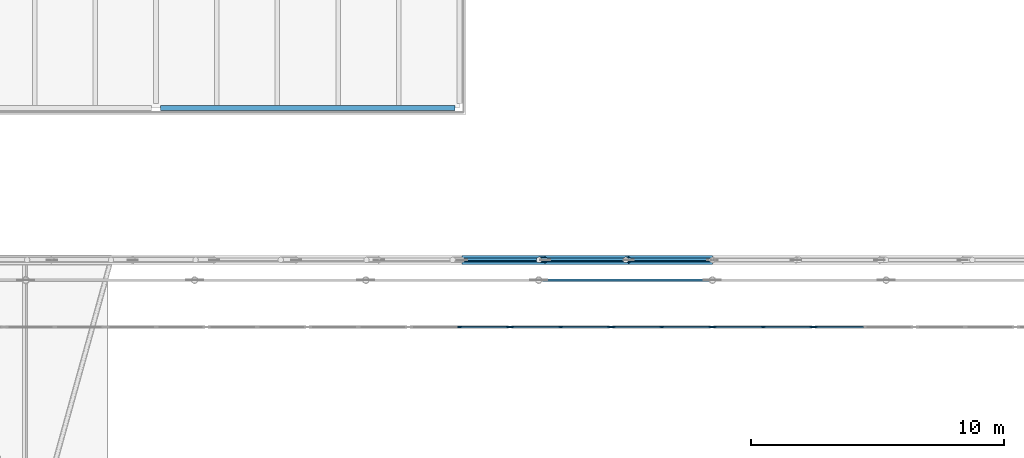
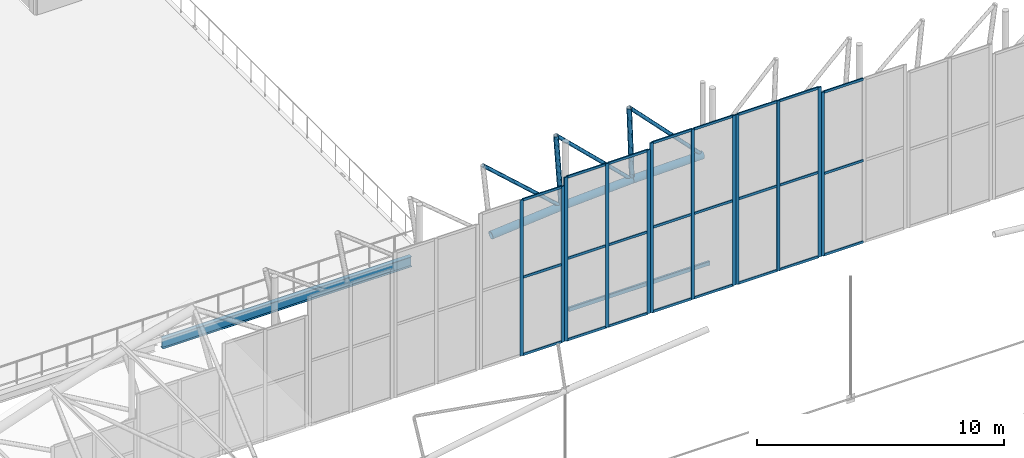
# One storey, part 179 of 321: 45 members, 1 beam, 5 elements without a shape of their own.
"""IFC4 building model written with IfcOpenShell, lengths in metres."""

import ifcopenshell
import ifcopenshell.guid

model = None  # the IFC model being written
_history = None  # IfcOwnerHistory: only IFC2X3 demands one
_inside = {}  # id of a spatial element -> (the spatial element, [elements in it])
_under = {}  # id of a project, library or spatial element -> (it, [spatial elements below it])
_declared = {}  # id of a project -> (the project, [libraries it declares])
_typed = {}  # id of a type object -> (the type object, [elements of that type])
_made_of = {}  # id of a material, layer set ... -> (it, [elements and type objects made of it])


def new_model(schema):
    """Start an empty IFC model of exactly this schema.

    Asked for "IFC4X3", IfcOpenShell would pick the latest addendum, in which some entities
    have other attributes; the version numbers below select the first issue.
    IFC2X3 requires an IfcOwnerHistory on every rooted entity: one is made here for all.
    """
    global model, _history
    if schema == "IFC4X3":
        model = ifcopenshell.file(schema_version=(4, 3, 0, 0))
    else:
        model = ifcopenshell.file(schema=schema)
    _inside.clear()
    _under.clear()
    _declared.clear()
    _typed.clear()
    _made_of.clear()
    _history = None
    if model.schema == "IFC2X3":
        org = make("IfcOrganization", Name="unknown")
        user = make(
            "IfcPersonAndOrganization",
            ThePerson=make("IfcPerson", FamilyName="unknown"),
            TheOrganization=org,
        )
        app = make(
            "IfcApplication",
            ApplicationDeveloper=org,
            Version="unknown",
            ApplicationFullName="unknown",
            ApplicationIdentifier="unknown",
        )
        _history = make(
            "IfcOwnerHistory",
            OwningUser=user,
            OwningApplication=app,
            ChangeAction="ADDED",
            CreationDate=0,
        )
    return model


def make(cls, **values):
    """One entity of the class cls with the attributes given. An attribute that is None is left unset."""
    return model.create_entity(
        cls, **{name: value for name, value in values.items() if value is not None}
    )


def rooted(cls, **values):
    """An entity with a GlobalId (a new one), such as an element, a storey or a relation."""
    return make(cls, GlobalId=ifcopenshell.guid.new(), OwnerHistory=_history, **values)


def si_unit(unit_type, name, prefix=None):
    """IfcSIUnit, for example si_unit("LENGTHUNIT", "METRE", prefix="MILLI")."""
    return make("IfcSIUnit", UnitType=unit_type, Prefix=prefix, Name=name)


def assignment(units):
    """IfcUnitAssignment: the units of a project."""
    return None if units is None else make("IfcUnitAssignment", Units=units)


def point(xyz):
    """IfcCartesianPoint."""
    return None if xyz is None else make("IfcCartesianPoint", Coordinates=xyz)


def direction(xyz):
    """IfcDirection."""
    return None if xyz is None else make("IfcDirection", DirectionRatios=xyz)


def frame(location, z_axis=None, x_axis=None):
    """IfcAxis2Placement3D, a coordinate frame: its origin and axes. An axis left out is left unset."""
    return make(
        "IfcAxis2Placement3D",
        Location=point(location),
        Axis=direction(z_axis),
        RefDirection=direction(x_axis),
    )


def frame_2d(location, x_axis=None):
    """IfcAxis2Placement2D, a coordinate frame in the plane: its origin and x axis."""
    return make(
        "IfcAxis2Placement2D", Location=point(location), RefDirection=direction(x_axis)
    )


def origin():
    """The frame at (0, 0, 0) with its axes left unset."""
    return frame((0.0, 0.0, 0.0))


def origin_2d():
    """The frame at (0, 0) in the plane with its x axis left unset."""
    return frame_2d((0.0, 0.0))


def place(relative_to, where):
    """IfcLocalPlacement: puts the frame where relative to a parent placement (None: the world)."""
    return make(
        "IfcLocalPlacement", PlacementRelTo=relative_to, RelativePlacement=where
    )


def context(
    kind, dimensions, precision=None, world=None, true_north=None, identifier=None
):
    """IfcGeometricRepresentationContext, for example the 3D "Model" context."""
    return make(
        "IfcGeometricRepresentationContext",
        ContextIdentifier=identifier,
        ContextType=kind,
        CoordinateSpaceDimension=dimensions,
        Precision=precision,
        WorldCoordinateSystem=world,
        TrueNorth=true_north,
    )


def subcontext(parent, identifier, kind, view, scale=None):
    """IfcGeometricRepresentationSubContext, for example "Body" below "Model"."""
    return make(
        "IfcGeometricRepresentationSubContext",
        ContextIdentifier=identifier,
        ContextType=kind,
        ParentContext=parent,
        TargetScale=scale,
        TargetView=view,
    )


def project(units=None, contexts=None):
    """IfcProject with its units and contexts."""
    return rooted(
        "IfcProject",
        Name="project",
        RepresentationContexts=contexts,
        UnitsInContext=assignment(units),
    )


def spatial(cls, under=None, at=None, **own):
    """A site, building, storey or space (cls), placed at a placement, below another one or the project."""
    s = rooted(cls, ObjectPlacement=at, **own)
    if under is not None:
        _under.setdefault(under.id(), (under, []))[1].append(s)
    return s


def profile(cls, at=None, kind="AREA", **sizes):
    """A parametric profile (cls). Its sizes go by their IFC names, for example OverallWidth=200.0."""
    return make(cls, ProfileType=kind, Position=at, **sizes)


def rectangle(**sizes):
    """IfcRectangleProfileDef."""
    return profile("IfcRectangleProfileDef", **sizes)


def hollow_rectangle(**sizes):
    """IfcRectangleHollowProfileDef."""
    return profile("IfcRectangleHollowProfileDef", **sizes)


def hollow_circle(**sizes):
    """IfcCircleHollowProfileDef."""
    return profile("IfcCircleHollowProfileDef", **sizes)


def i_section(**sizes):
    """IfcIShapeProfileDef."""
    return profile("IfcIShapeProfileDef", **sizes)


def extrude(swept, where, along, depth):
    """IfcExtrudedAreaSolid: the profile swept, set in the frame where, extruded along a direction by depth."""
    return make(
        "IfcExtrudedAreaSolid",
        SweptArea=swept,
        Position=where,
        ExtrudedDirection=direction(along),
        Depth=depth,
    )


def shape(context_of_items, identifier, shape_type, items):
    """IfcShapeRepresentation: the items that make up one representation, for example the "Body"."""
    return make(
        "IfcShapeRepresentation",
        ContextOfItems=context_of_items,
        RepresentationIdentifier=identifier,
        RepresentationType=shape_type,
        Items=items,
    )


def material(Name=None, Category=None):
    """IfcMaterial."""
    return make("IfcMaterial", Name=Name, Category=Category)


def layer(
    of_material, thickness, ventilated=None, Name=None, Category=None, Priority=None
):
    """IfcMaterialLayer: one layer of a wall or slab, of a material (None: an air gap)."""
    return make(
        "IfcMaterialLayer",
        Material=of_material,
        LayerThickness=thickness,
        IsVentilated=ventilated,
        Name=Name,
        Category=Category,
        Priority=Priority,
    )


def layer_set(layers, Name=None):
    """IfcMaterialLayerSet."""
    return make("IfcMaterialLayerSet", MaterialLayers=layers, LayerSetName=Name)


def material_profile(
    of_material, cross_section, Name=None, Category=None, Priority=None
):
    """IfcMaterialProfile: a cross section and its material."""
    return make(
        "IfcMaterialProfile",
        Name=Name,
        Material=of_material,
        Profile=cross_section,
        Priority=Priority,
        Category=Category,
    )


def profile_set(profiles, Name=None, composite=None):
    """IfcMaterialProfileSet."""
    return make(
        "IfcMaterialProfileSet",
        Name=Name,
        MaterialProfiles=profiles,
        CompositeProfile=composite,
    )


def made_of(thing, what):
    """Note that an element or type object is made of a material, layer set ...; save() writes the relation."""
    if what is not None:
        _made_of.setdefault(what.id(), (what, []))[1].append(thing)
    return thing


def type_object(cls, material=None, **own):
    """A type object (cls), such as IfcWallType, which elements share."""
    return made_of(rooted(cls, **own), material)


def element(
    cls,
    number,
    at=None,
    inside=None,
    cuts=None,
    type_object=None,
    material=None,
    context=None,
    identifier="Body",
    shape_type=None,
    held_by="IfcProductDefinitionShape",
    body=None,
    shapes=None,
    **own,
):
    """One element of the class cls, such as IfcWall. Its Tag is "e" and its number.

    at: its placement. inside: the storey or other place that contains it. cuts: it is an
    opening in that element (IfcRelVoidsElement). A single representation is given by context,
    identifier, shape_type and body (its items); several are given by shapes. held_by: the class
    of the entity that holds the representations. save() writes the other relations.
    """
    e = rooted(cls, Tag="e%d" % number, ObjectPlacement=at, **own)
    if body is not None:
        shapes = [shape(context, identifier, shape_type, body)]
    if shapes is not None:
        e.Representation = make(held_by, Representations=shapes)
    if inside is not None:
        _inside.setdefault(inside.id(), (inside, []))[1].append(e)
    if cuts is not None:
        rooted(
            "IfcRelVoidsElement", RelatingBuildingElement=cuts, RelatedOpeningElement=e
        )
    if type_object is not None:
        _typed.setdefault(type_object.id(), (type_object, []))[1].append(e)
    return made_of(e, material)


def aggregate(whole, parts):
    """IfcRelAggregates: a whole, such as a stair, and the parts it consists of."""
    return rooted("IfcRelAggregates", RelatingObject=whole, RelatedObjects=parts)


def save(model, path):
    """Write the relations noted so far, then the file.

    IfcRelAggregates (storeys below a building ...), IfcRelContainedInSpatialStructure (elements
    in a storey), IfcRelDefinesByType, IfcRelAssociatesMaterial and IfcRelDeclares: one each for
    every whole, place, type object, material and project.
    """
    for whole, parts in _under.values():
        aggregate(whole, parts)
    for where, things in _inside.values():
        rooted(
            "IfcRelContainedInSpatialStructure",
            RelatedElements=things,
            RelatingStructure=where,
        )
    for kind, things in _typed.values():
        rooted("IfcRelDefinesByType", RelatedObjects=things, RelatingType=kind)
    for what, things in _made_of.values():
        rooted("IfcRelAssociatesMaterial", RelatedObjects=things, RelatingMaterial=what)
    for by, libraries in _declared.values():
        rooted("IfcRelDeclares", RelatingContext=by, RelatedDefinitions=libraries)
    model.write(path)


model = new_model("IFC4")

# Units and contexts
model_context = context("Model", 3, precision=1e-05, world=origin(), true_north=direction((0.0, 1.0)))
body_context = subcontext(model_context, "Body", "Model", "MODEL_VIEW")
ifc_project = project(units=[si_unit("LENGTHUNIT", "METRE"), si_unit("AREAUNIT", "SQUARE_METRE"), si_unit("VOLUMEUNIT", "CUBIC_METRE"), si_unit("PLANEANGLEUNIT", "RADIAN"), si_unit("MASSUNIT", "GRAM", prefix="KILO")], contexts=[model_context])

# Site, building, storey
site_placement = place(None, origin())
site = spatial("IfcSite", under=ifc_project, at=site_placement, CompositionType="ELEMENT")
building_placement = place(site_placement, origin())
building = spatial("IfcBuilding", under=site, at=building_placement, Name="Ravi Spectrum Wholesale Market", CompositionType="ELEMENT")
storey_placement = place(building_placement, frame((0.0, 0.0, 10.800048828125)))
storey = spatial("IfcBuildingStorey", under=building, at=storey_placement, Name="L02", CompositionType="ELEMENT", Elevation=10.800048828125)

# Members
ifc_material_1 = material(Name="Steel S355", Category="steel")
ifc_material_profile_1 = material_profile(ifc_material_1, hollow_circle(Radius=0.084228515625, WallThickness=0.00634765625, at=origin_2d()))
ifc_profile_set_1 = profile_set([ifc_material_profile_1], Name="Steel S355")
member_type_1 = type_object("IfcMemberType", Name="CHS 168.3x6.3 brace", PredefinedType="BRACE", material=ifc_profile_set_1)
member_1_placement = place(storey_placement, frame((59.726806640625, 198.0, 7.867919921875), z_axis=(0.743626505142, 0.0, -0.668595259369), x_axis=(0.0, 1.0, 0.0)))
element("IfcMember", 1, at=member_1_placement, inside=storey, type_object=member_type_1, Name="H1-MB-L02-1214", PredefinedType="BRACE", context=body_context, shape_type="SweptSolid", body=[
    extrude(hollow_circle(Radius=0.084228515625, WallThickness=0.00634765625, at=origin_2d()), origin(), (0.0, 0.0, 1.0), 4.9296875),
])
for number, where, z_axis, x_axis, name in (
    (2, (63.14453125, 198.0, 8.163330078125), (0.7201093859, 0.0, -0.69386055684), (0.0, 1.0, 0.0), "H1-MB-L02-1215"),
    (3, (66.5703125, 198.0, 8.3408203125), (0.695749704847, 0.0, -0.718284308756), (0.0, 1.0, 0.0), "H1-MB-L02-1216"),
):
    element("IfcMember", number, at=place(storey_placement, frame(where, z_axis=z_axis, x_axis=x_axis)), inside=storey, type_object=member_type_1, Name=name, PredefinedType="BRACE", context=body_context, shape_type="SweptSolid", body=[
        extrude(hollow_circle(Radius=0.084228515625, WallThickness=0.00634765625, at=origin_2d()), origin(), (0.0, 0.0, 1.0), 4.929443359375),
    ])
ifc_material_2 = material(Name="Steel S355", Category="steel")
ifc_material_profile_2 = material_profile(ifc_material_2, hollow_circle(Radius=0.109619140625, WallThickness=0.008056640625, at=origin_2d()))
ifc_profile_set_2 = profile_set([ifc_material_profile_2], Name="Steel S355")
member_type_2 = type_object("IfcMemberType", Name="CHS 219.1x8 post", PredefinedType="POST", material=ifc_profile_set_2)
member_2_placement = place(storey_placement, frame((63.14453125, 198.0, 8.163330078125), z_axis=(0.068904502548, 0.0, -0.997623260319), x_axis=(0.0, 1.0, 0.0)))
element("IfcMember", 4, at=member_2_placement, inside=storey, type_object=member_type_2, Name="H1-MB-L02-1192", PredefinedType="POST", context=body_context, shape_type="SweptSolid", body=[
    extrude(hollow_circle(Radius=0.109619140625, WallThickness=0.008056640625, at=origin_2d()), origin(), (0.0, 0.0, 1.0), 3.599853515625),
])
member_3_placement = place(storey_placement, frame((66.5703125, 198.0, 8.3408203125), z_axis=(0.034450597287, 0.0, -0.999406401994), x_axis=(0.0, 1.0, 0.0)))
element("IfcMember", 5, at=member_3_placement, inside=storey, type_object=member_type_2, Name="H1-MB-L02-1193", PredefinedType="POST", context=body_context, shape_type="SweptSolid", body=[
    extrude(hollow_circle(Radius=0.109619140625, WallThickness=0.008056640625, at=origin_2d()), origin(), (0.0, 0.0, 1.0), 3.60009765625),
])
ifc_material_3 = material(Name="Steel S355", Category="steel")
ifc_material_profile_3 = material_profile(ifc_material_3, hollow_circle(Radius=0.177734375, WallThickness=0.012451171875, at=origin_2d()))
ifc_profile_set_3 = profile_set([ifc_material_profile_3], Name="Steel S355")
member_type_3 = type_object("IfcMemberType", Name="CHS 355.6x12.5 chord", PredefinedType="CHORD", material=ifc_profile_set_3)
member_4_placement = place(storey_placement, frame((60.098876953125, 198.0, 4.287109375), z_axis=(0.99627955827, 0.0, 0.08618028645), x_axis=(0.0, 1.0, 0.0)))
element("IfcMember", 6, at=member_4_placement, inside=storey, type_object=member_type_3, Name="H1-MB-L02-1168", PredefinedType="CHORD", context=body_context, shape_type="SweptSolid", body=[
    extrude(hollow_circle(Radius=0.177734375, WallThickness=0.012451171875, at=origin_2d()), origin(), (0.0, 0.0, 1.0), 3.305908203125),
])
for number, where, z_axis, x_axis, name in (
    (7, (63.392578125, 198.0, 4.572021484375), (0.99866314533, 0.0, 0.051690638992), (0.0, 1.0, 0.0), "H1-MB-L02-1169"),
    (8, (66.6943359375, 198.0, 4.742919921875), (0.999850697486, 0.0, 0.017279546766), (0.0, 1.0, 0.0), "H1-MB-L02-1170"),
):
    element("IfcMember", number, at=place(storey_placement, frame(where, z_axis=z_axis, x_axis=x_axis)), inside=storey, type_object=member_type_3, Name=name, PredefinedType="CHORD", context=body_context, shape_type="SweptSolid", body=[
        extrude(hollow_circle(Radius=0.177734375, WallThickness=0.012451171875, at=origin_2d()), origin(), (0.0, 0.0, 1.0), 3.30615234375),
    ])

# Beam
ifc_material_4 = material(Name="Steel S355", Category="steel")
ifc_material_profile_4 = material_profile(ifc_material_4, i_section(OverallWidth=0.199951171875, OverallDepth=0.5, WebThickness=0.01025390625, FlangeThickness=0.01611328125, at=origin_2d()))
ifc_profile_set_4 = profile_set([ifc_material_profile_4], Name="Steel S355")
beam_type = type_object("IfcBeamType", Name="IPE 500 beam", PredefinedType="BEAM", material=ifc_profile_set_4)
beam_placement = place(storey_placement, frame((48.177734375, 204.0, -0.5), z_axis=(1.0, 0.0, 0.0), x_axis=(0.0, 1.0, 0.0)))
element("IfcBeam", 9, at=beam_placement, inside=storey, type_object=beam_type, Name="OF-BM-L02-004", PredefinedType="BEAM", context=body_context, shape_type="SweptSolid", body=[
    extrude(i_section(OverallWidth=0.199951171875, OverallDepth=0.5, WebThickness=0.01025390625, FlangeThickness=0.01611328125, at=origin_2d()), origin(), (0.0, 0.0, 1.0), 11.64453125),
])

# Curtain wall, members
ifc_material_5 = material(Name="Aluminium 6063-T6", Category="aluminium")
ifc_layer = layer(ifc_material_5, 0.14990234375)
ifc_layer_set = layer_set([ifc_layer], Name="Aluminium 6063-T6")
curtain_wall_type = type_object("IfcCurtainWallType", Name="Curtain wall 150", PredefinedType="NOTDEFINED", material=ifc_layer_set)
curtain_wall_1_placement = place(storey_placement, origin())
curtain_wall_1 = element("IfcCurtainWall", 10, at=curtain_wall_1_placement, inside=storey, type_object=curtain_wall_type, Name="H1-CW-L02-007", PredefinedType="NOTDEFINED")
ifc_material_6 = material(Name="Aluminium 6063-T6", Category="aluminium")
ifc_material_profile_5 = material_profile(ifc_material_6, rectangle(XDim=0.06005859375, YDim=0.159912109375, at=origin_2d()))
ifc_profile_set_5 = profile_set([ifc_material_profile_5], Name="Aluminium 6063-T6")
member_type_4 = type_object("IfcMemberType", Name="Mullion 60 x 160", PredefinedType="MULLION", material=ifc_profile_set_5)
member_5_placement = place(storey_placement, frame((60.0, 195.340087890625, 0.0), z_axis=(0.0, 0.0, 1.0), x_axis=(0.0, 1.0, 0.0)))
member_5 = element("IfcMember", 11, at=member_5_placement, type_object=member_type_4, Name="H1-CW-L02-007 mullion 2", PredefinedType="MULLION", context=body_context, shape_type="SweptSolid", body=[
    extrude(rectangle(XDim=0.06005859375, YDim=0.159912109375, at=origin_2d()), origin(), (0.0, 0.0, 1.0), 7.699951171875),
])
member_6_placement = place(storey_placement, frame((61.929931640625, 195.340087890625, 0.0), z_axis=(0.0, 0.0, 1.0), x_axis=(0.0, 1.0, 0.0)))
member_6 = element("IfcMember", 12, at=member_6_placement, type_object=member_type_4, Name="H1-CW-L02-007 mullion 3", PredefinedType="MULLION", context=body_context, shape_type="SweptSolid", body=[
    extrude(rectangle(XDim=0.06005859375, YDim=0.159912109375, at=origin_2d()), origin(), (0.0, 0.0, 1.0), 7.699951171875),
])

curtain_wall_2_placement = place(storey_placement, origin())
curtain_wall_2 = element("IfcCurtainWall", 13, at=curtain_wall_2_placement, inside=storey, type_object=curtain_wall_type, Name="H1-CW-L02-008", PredefinedType="NOTDEFINED")
member_7_placement = place(storey_placement, frame((62.070068359375, 195.340087890625, 0.0), z_axis=(0.0, 0.0, 1.0), x_axis=(0.0, 1.0, 0.0)))
member_7 = element("IfcMember", 14, at=member_7_placement, type_object=member_type_4, Name="H1-CW-L02-008 mullion 1", PredefinedType="MULLION", context=body_context, shape_type="SweptSolid", body=[
    extrude(rectangle(XDim=0.06005859375, YDim=0.159912109375, at=origin_2d()), origin(), (0.0, 0.0, 1.0), 8.099853515625),
])
member_8_placement = place(storey_placement, frame((64.0, 195.340087890625, 0.0), z_axis=(0.0, 0.0, 1.0), x_axis=(0.0, 1.0, 0.0)))
member_8 = element("IfcMember", 15, at=member_8_placement, type_object=member_type_4, Name="H1-CW-L02-008 mullion 2", PredefinedType="MULLION", context=body_context, shape_type="SweptSolid", body=[
    extrude(rectangle(XDim=0.06005859375, YDim=0.159912109375, at=origin_2d()), origin(), (0.0, 0.0, 1.0), 8.099853515625),
])
member_9_placement = place(storey_placement, frame((65.929931640625, 195.340087890625, 0.0), z_axis=(0.0, 0.0, 1.0), x_axis=(0.0, 1.0, 0.0)))
member_9 = element("IfcMember", 16, at=member_9_placement, type_object=member_type_4, Name="H1-CW-L02-008 mullion 3", PredefinedType="MULLION", context=body_context, shape_type="SweptSolid", body=[
    extrude(rectangle(XDim=0.06005859375, YDim=0.159912109375, at=origin_2d()), origin(), (0.0, 0.0, 1.0), 8.099853515625),
])

curtain_wall_3_placement = place(storey_placement, origin())
curtain_wall_3 = element("IfcCurtainWall", 17, at=curtain_wall_3_placement, inside=storey, type_object=curtain_wall_type, Name="H1-CW-L02-009", PredefinedType="NOTDEFINED")
member_10_placement = place(storey_placement, frame((66.070068359375, 195.340087890625, 0.0), z_axis=(0.0, 0.0, 1.0), x_axis=(0.0, 1.0, 0.0)))
member_10 = element("IfcMember", 18, at=member_10_placement, type_object=member_type_4, Name="H1-CW-L02-009 mullion 1", PredefinedType="MULLION", context=body_context, shape_type="SweptSolid", body=[
    extrude(rectangle(XDim=0.06005859375, YDim=0.159912109375, at=origin_2d()), origin(), (0.0, 0.0, 1.0), 8.39990234375),
])
member_11_placement = place(storey_placement, frame((68.0, 195.340087890625, 0.0), z_axis=(0.0, 0.0, 1.0), x_axis=(0.0, 1.0, 0.0)))
member_11 = element("IfcMember", 19, at=member_11_placement, type_object=member_type_4, Name="H1-CW-L02-009 mullion 2", PredefinedType="MULLION", context=body_context, shape_type="SweptSolid", body=[
    extrude(rectangle(XDim=0.06005859375, YDim=0.159912109375, at=origin_2d()), origin(), (0.0, 0.0, 1.0), 8.39990234375),
])
member_12_placement = place(storey_placement, frame((69.929931640625, 195.340087890625, 0.0), z_axis=(0.0, 0.0, 1.0), x_axis=(0.0, 1.0, 0.0)))
member_12 = element("IfcMember", 20, at=member_12_placement, type_object=member_type_4, Name="H1-CW-L02-009 mullion 3", PredefinedType="MULLION", context=body_context, shape_type="SweptSolid", body=[
    extrude(rectangle(XDim=0.06005859375, YDim=0.159912109375, at=origin_2d()), origin(), (0.0, 0.0, 1.0), 8.39990234375),
])

curtain_wall_4_placement = place(storey_placement, origin())
curtain_wall_4 = element("IfcCurtainWall", 21, at=curtain_wall_4_placement, inside=storey, type_object=curtain_wall_type, Name="H1-CW-L02-010", PredefinedType="NOTDEFINED")
member_13_placement = place(storey_placement, frame((70.070068359375, 195.340087890625, 0.0), z_axis=(0.0, 0.0, 1.0), x_axis=(0.0, 1.0, 0.0)))
member_13 = element("IfcMember", 22, at=member_13_placement, type_object=member_type_4, Name="H1-CW-L02-010 mullion 1", PredefinedType="MULLION", context=body_context, shape_type="SweptSolid", body=[
    extrude(rectangle(XDim=0.06005859375, YDim=0.159912109375, at=origin_2d()), origin(), (0.0, 0.0, 1.0), 8.39990234375),
])
member_14_placement = place(storey_placement, frame((72.0, 195.340087890625, 0.0), z_axis=(0.0, 0.0, 1.0), x_axis=(0.0, 1.0, 0.0)))
member_14 = element("IfcMember", 23, at=member_14_placement, type_object=member_type_4, Name="H1-CW-L02-010 mullion 2", PredefinedType="MULLION", context=body_context, shape_type="SweptSolid", body=[
    extrude(rectangle(XDim=0.06005859375, YDim=0.159912109375, at=origin_2d()), origin(), (0.0, 0.0, 1.0), 8.39990234375),
])
member_15_placement = place(storey_placement, frame((73.929931640625, 195.340087890625, 0.0), z_axis=(0.0, 0.0, 1.0), x_axis=(0.0, 1.0, 0.0)))
member_15 = element("IfcMember", 24, at=member_15_placement, type_object=member_type_4, Name="H1-CW-L02-010 mullion 3", PredefinedType="MULLION", context=body_context, shape_type="SweptSolid", body=[
    extrude(rectangle(XDim=0.06005859375, YDim=0.159912109375, at=origin_2d()), origin(), (0.0, 0.0, 1.0), 8.39990234375),
])

# Curtain wall, member
curtain_wall_5_placement = place(storey_placement, origin())
curtain_wall_5 = element("IfcCurtainWall", 25, at=curtain_wall_5_placement, inside=storey, type_object=curtain_wall_type, Name="H1-CW-L02-011", PredefinedType="NOTDEFINED")
member_16_placement = place(storey_placement, frame((74.070068359375, 195.340087890625, 0.0), z_axis=(0.0, 0.0, 1.0), x_axis=(0.0, 1.0, 0.0)))
member_16 = element("IfcMember", 26, at=member_16_placement, type_object=member_type_4, Name="H1-CW-L02-011 mullion 1", PredefinedType="MULLION", context=body_context, shape_type="SweptSolid", body=[
    extrude(rectangle(XDim=0.06005859375, YDim=0.159912109375, at=origin_2d()), origin(), (0.0, 0.0, 1.0), 8.099853515625),
])

# Member
ifc_material_7 = material(Name="Steel S355", Category="steel")
ifc_material_profile_6 = material_profile(ifc_material_7, hollow_rectangle(XDim=0.10009765625, YDim=0.199951171875, WallThickness=0.00634765625, InnerFilletRadius=0.00634765625, OuterFilletRadius=0.0126953125, at=origin_2d()))
ifc_profile_set_6 = profile_set([ifc_material_profile_6], Name="Steel S355")
member_type_5 = type_object("IfcMemberType", Name="RHS 200x100x6.3 strut", PredefinedType="STRUT", material=ifc_profile_set_6)
member_17_placement = place(storey_placement, frame((63.266845703125, 197.199951171875, 0.0), z_axis=(1.0, 0.0, 0.0), x_axis=(0.0, 1.0, 0.0)))
element("IfcMember", 27, at=member_17_placement, inside=storey, type_object=member_type_5, Name="H1-MB-L02-1757", PredefinedType="STRUT", context=body_context, shape_type="SweptSolid", body=[
    extrude(hollow_rectangle(XDim=0.10009765625, YDim=0.199951171875, WallThickness=0.00634765625, InnerFilletRadius=0.00634765625, OuterFilletRadius=0.0126953125, at=origin_2d()), origin(), (0.0, 0.0, 1.0), 6.5966796875),
])

ifc_material_8 = material(Name="Aluminium 6063-T6", Category="aluminium")
ifc_material_profile_7 = material_profile(ifc_material_8, rectangle(XDim=0.06005859375, YDim=0.1201171875, at=origin_2d()))
ifc_profile_set_7 = profile_set([ifc_material_profile_7], Name="Aluminium 6063-T6")
member_type_6 = type_object("IfcMemberType", Name="Transom 60 x 120", PredefinedType="USERDEFINED", material=ifc_profile_set_7)
member_18_placement = place(storey_placement, frame((60.030029296875, 195.340087890625, 0.030029296875), z_axis=(1.0, 0.0, 0.0), x_axis=(0.0, 1.0, 0.0)))
member_18 = element("IfcMember", 28, at=member_18_placement, type_object=member_type_6, Name="H1-CW-L02-007 transom 2.1", ObjectType="TRANSOM", PredefinedType="USERDEFINED", context=body_context, shape_type="SweptSolid", body=[
    extrude(rectangle(XDim=0.06005859375, YDim=0.1201171875, at=origin_2d()), origin(), (0.0, 0.0, 1.0), 1.869873046875),
])

member_19_placement = place(storey_placement, frame((60.030029296875, 195.340087890625, 3.849853515625), z_axis=(1.0, 0.0, 0.0), x_axis=(0.0, 1.0, 0.0)))
member_19 = element("IfcMember", 29, at=member_19_placement, type_object=member_type_6, Name="H1-CW-L02-007 transom 2.2", ObjectType="TRANSOM", PredefinedType="USERDEFINED", context=body_context, shape_type="SweptSolid", body=[
    extrude(rectangle(XDim=0.06005859375, YDim=0.1201171875, at=origin_2d()), origin(), (0.0, 0.0, 1.0), 1.869873046875),
])

member_20_placement = place(storey_placement, frame((60.030029296875, 195.340087890625, 7.669921875), z_axis=(1.0, 0.0, 0.0), x_axis=(0.0, 1.0, 0.0)))
member_20 = element("IfcMember", 30, at=member_20_placement, type_object=member_type_6, Name="H1-CW-L02-007 transom 2.3", ObjectType="TRANSOM", PredefinedType="USERDEFINED", context=body_context, shape_type="SweptSolid", body=[
    extrude(rectangle(XDim=0.06005859375, YDim=0.1201171875, at=origin_2d()), origin(), (0.0, 0.0, 1.0), 1.869873046875),
])

aggregate(curtain_wall_1, [member_5, member_6, member_18, member_19, member_20])

member_21_placement = place(storey_placement, frame((62.10009765625, 195.340087890625, 0.030029296875), z_axis=(1.0, 0.0, 0.0), x_axis=(0.0, 1.0, 0.0)))
member_21 = element("IfcMember", 31, at=member_21_placement, type_object=member_type_6, Name="H1-CW-L02-008 transom 1.1", ObjectType="TRANSOM", PredefinedType="USERDEFINED", context=body_context, shape_type="SweptSolid", body=[
    extrude(rectangle(XDim=0.06005859375, YDim=0.1201171875, at=origin_2d()), origin(), (0.0, 0.0, 1.0), 1.869873046875),
])

member_22_placement = place(storey_placement, frame((62.10009765625, 195.340087890625, 4.050048828125), z_axis=(1.0, 0.0, 0.0), x_axis=(0.0, 1.0, 0.0)))
member_22 = element("IfcMember", 32, at=member_22_placement, type_object=member_type_6, Name="H1-CW-L02-008 transom 1.2", ObjectType="TRANSOM", PredefinedType="USERDEFINED", context=body_context, shape_type="SweptSolid", body=[
    extrude(rectangle(XDim=0.06005859375, YDim=0.1201171875, at=origin_2d()), origin(), (0.0, 0.0, 1.0), 1.869873046875),
])

member_23_placement = place(storey_placement, frame((62.10009765625, 195.340087890625, 8.070068359375), z_axis=(1.0, 0.0, 0.0), x_axis=(0.0, 1.0, 0.0)))
member_23 = element("IfcMember", 33, at=member_23_placement, type_object=member_type_6, Name="H1-CW-L02-008 transom 1.3", ObjectType="TRANSOM", PredefinedType="USERDEFINED", context=body_context, shape_type="SweptSolid", body=[
    extrude(rectangle(XDim=0.06005859375, YDim=0.1201171875, at=origin_2d()), origin(), (0.0, 0.0, 1.0), 1.869873046875),
])

member_24_placement = place(storey_placement, frame((64.030029296875, 195.340087890625, 0.030029296875), z_axis=(1.0, 0.0, 0.0), x_axis=(0.0, 1.0, 0.0)))
member_24 = element("IfcMember", 34, at=member_24_placement, type_object=member_type_6, Name="H1-CW-L02-008 transom 2.1", ObjectType="TRANSOM", PredefinedType="USERDEFINED", context=body_context, shape_type="SweptSolid", body=[
    extrude(rectangle(XDim=0.06005859375, YDim=0.1201171875, at=origin_2d()), origin(), (0.0, 0.0, 1.0), 1.869873046875),
])

member_25_placement = place(storey_placement, frame((64.030029296875, 195.340087890625, 4.050048828125), z_axis=(1.0, 0.0, 0.0), x_axis=(0.0, 1.0, 0.0)))
member_25 = element("IfcMember", 35, at=member_25_placement, type_object=member_type_6, Name="H1-CW-L02-008 transom 2.2", ObjectType="TRANSOM", PredefinedType="USERDEFINED", context=body_context, shape_type="SweptSolid", body=[
    extrude(rectangle(XDim=0.06005859375, YDim=0.1201171875, at=origin_2d()), origin(), (0.0, 0.0, 1.0), 1.869873046875),
])

member_26_placement = place(storey_placement, frame((64.030029296875, 195.340087890625, 8.070068359375), z_axis=(1.0, 0.0, 0.0), x_axis=(0.0, 1.0, 0.0)))
member_26 = element("IfcMember", 36, at=member_26_placement, type_object=member_type_6, Name="H1-CW-L02-008 transom 2.3", ObjectType="TRANSOM", PredefinedType="USERDEFINED", context=body_context, shape_type="SweptSolid", body=[
    extrude(rectangle(XDim=0.06005859375, YDim=0.1201171875, at=origin_2d()), origin(), (0.0, 0.0, 1.0), 1.869873046875),
])

aggregate(curtain_wall_2, [member_7, member_8, member_9, member_21, member_22, member_23, member_24, member_25, member_26])

member_27_placement = place(storey_placement, frame((66.10009765625, 195.340087890625, 0.030029296875), z_axis=(1.0, 0.0, 0.0), x_axis=(0.0, 1.0, 0.0)))
member_27 = element("IfcMember", 37, at=member_27_placement, type_object=member_type_6, Name="H1-CW-L02-009 transom 1.1", ObjectType="TRANSOM", PredefinedType="USERDEFINED", context=body_context, shape_type="SweptSolid", body=[
    extrude(rectangle(XDim=0.06005859375, YDim=0.1201171875, at=origin_2d()), origin(), (0.0, 0.0, 1.0), 1.869873046875),
])

member_28_placement = place(storey_placement, frame((66.10009765625, 195.340087890625, 4.199951171875), z_axis=(1.0, 0.0, 0.0), x_axis=(0.0, 1.0, 0.0)))
member_28 = element("IfcMember", 38, at=member_28_placement, type_object=member_type_6, Name="H1-CW-L02-009 transom 1.2", ObjectType="TRANSOM", PredefinedType="USERDEFINED", context=body_context, shape_type="SweptSolid", body=[
    extrude(rectangle(XDim=0.06005859375, YDim=0.1201171875, at=origin_2d()), origin(), (0.0, 0.0, 1.0), 1.869873046875),
])

member_29_placement = place(storey_placement, frame((66.10009765625, 195.340087890625, 8.369873046875), z_axis=(1.0, 0.0, 0.0), x_axis=(0.0, 1.0, 0.0)))
member_29 = element("IfcMember", 39, at=member_29_placement, type_object=member_type_6, Name="H1-CW-L02-009 transom 1.3", ObjectType="TRANSOM", PredefinedType="USERDEFINED", context=body_context, shape_type="SweptSolid", body=[
    extrude(rectangle(XDim=0.06005859375, YDim=0.1201171875, at=origin_2d()), origin(), (0.0, 0.0, 1.0), 1.869873046875),
])

member_30_placement = place(storey_placement, frame((68.030029296875, 195.340087890625, 0.030029296875), z_axis=(1.0, 0.0, 0.0), x_axis=(0.0, 1.0, 0.0)))
member_30 = element("IfcMember", 40, at=member_30_placement, type_object=member_type_6, Name="H1-CW-L02-009 transom 2.1", ObjectType="TRANSOM", PredefinedType="USERDEFINED", context=body_context, shape_type="SweptSolid", body=[
    extrude(rectangle(XDim=0.06005859375, YDim=0.1201171875, at=origin_2d()), origin(), (0.0, 0.0, 1.0), 1.869873046875),
])

member_31_placement = place(storey_placement, frame((68.030029296875, 195.340087890625, 4.199951171875), z_axis=(1.0, 0.0, 0.0), x_axis=(0.0, 1.0, 0.0)))
member_31 = element("IfcMember", 41, at=member_31_placement, type_object=member_type_6, Name="H1-CW-L02-009 transom 2.2", ObjectType="TRANSOM", PredefinedType="USERDEFINED", context=body_context, shape_type="SweptSolid", body=[
    extrude(rectangle(XDim=0.06005859375, YDim=0.1201171875, at=origin_2d()), origin(), (0.0, 0.0, 1.0), 1.869873046875),
])

member_32_placement = place(storey_placement, frame((68.030029296875, 195.340087890625, 8.369873046875), z_axis=(1.0, 0.0, 0.0), x_axis=(0.0, 1.0, 0.0)))
member_32 = element("IfcMember", 42, at=member_32_placement, type_object=member_type_6, Name="H1-CW-L02-009 transom 2.3", ObjectType="TRANSOM", PredefinedType="USERDEFINED", context=body_context, shape_type="SweptSolid", body=[
    extrude(rectangle(XDim=0.06005859375, YDim=0.1201171875, at=origin_2d()), origin(), (0.0, 0.0, 1.0), 1.869873046875),
])

aggregate(curtain_wall_3, [member_10, member_11, member_12, member_27, member_28, member_29, member_30, member_31, member_32])

member_33_placement = place(storey_placement, frame((70.10009765625, 195.340087890625, 0.030029296875), z_axis=(1.0, 0.0, 0.0), x_axis=(0.0, 1.0, 0.0)))
member_33 = element("IfcMember", 43, at=member_33_placement, type_object=member_type_6, Name="H1-CW-L02-010 transom 1.1", ObjectType="TRANSOM", PredefinedType="USERDEFINED", context=body_context, shape_type="SweptSolid", body=[
    extrude(rectangle(XDim=0.06005859375, YDim=0.1201171875, at=origin_2d()), origin(), (0.0, 0.0, 1.0), 1.869873046875),
])

member_34_placement = place(storey_placement, frame((70.10009765625, 195.340087890625, 4.199951171875), z_axis=(1.0, 0.0, 0.0), x_axis=(0.0, 1.0, 0.0)))
member_34 = element("IfcMember", 44, at=member_34_placement, type_object=member_type_6, Name="H1-CW-L02-010 transom 1.2", ObjectType="TRANSOM", PredefinedType="USERDEFINED", context=body_context, shape_type="SweptSolid", body=[
    extrude(rectangle(XDim=0.06005859375, YDim=0.1201171875, at=origin_2d()), origin(), (0.0, 0.0, 1.0), 1.869873046875),
])

member_35_placement = place(storey_placement, frame((70.10009765625, 195.340087890625, 8.369873046875), z_axis=(1.0, 0.0, 0.0), x_axis=(0.0, 1.0, 0.0)))
member_35 = element("IfcMember", 45, at=member_35_placement, type_object=member_type_6, Name="H1-CW-L02-010 transom 1.3", ObjectType="TRANSOM", PredefinedType="USERDEFINED", context=body_context, shape_type="SweptSolid", body=[
    extrude(rectangle(XDim=0.06005859375, YDim=0.1201171875, at=origin_2d()), origin(), (0.0, 0.0, 1.0), 1.869873046875),
])

member_36_placement = place(storey_placement, frame((72.030029296875, 195.340087890625, 0.030029296875), z_axis=(1.0, 0.0, 0.0), x_axis=(0.0, 1.0, 0.0)))
member_36 = element("IfcMember", 46, at=member_36_placement, type_object=member_type_6, Name="H1-CW-L02-010 transom 2.1", ObjectType="TRANSOM", PredefinedType="USERDEFINED", context=body_context, shape_type="SweptSolid", body=[
    extrude(rectangle(XDim=0.06005859375, YDim=0.1201171875, at=origin_2d()), origin(), (0.0, 0.0, 1.0), 1.869873046875),
])

member_37_placement = place(storey_placement, frame((72.030029296875, 195.340087890625, 4.199951171875), z_axis=(1.0, 0.0, 0.0), x_axis=(0.0, 1.0, 0.0)))
member_37 = element("IfcMember", 47, at=member_37_placement, type_object=member_type_6, Name="H1-CW-L02-010 transom 2.2", ObjectType="TRANSOM", PredefinedType="USERDEFINED", context=body_context, shape_type="SweptSolid", body=[
    extrude(rectangle(XDim=0.06005859375, YDim=0.1201171875, at=origin_2d()), origin(), (0.0, 0.0, 1.0), 1.869873046875),
])

member_38_placement = place(storey_placement, frame((72.030029296875, 195.340087890625, 8.369873046875), z_axis=(1.0, 0.0, 0.0), x_axis=(0.0, 1.0, 0.0)))
member_38 = element("IfcMember", 48, at=member_38_placement, type_object=member_type_6, Name="H1-CW-L02-010 transom 2.3", ObjectType="TRANSOM", PredefinedType="USERDEFINED", context=body_context, shape_type="SweptSolid", body=[
    extrude(rectangle(XDim=0.06005859375, YDim=0.1201171875, at=origin_2d()), origin(), (0.0, 0.0, 1.0), 1.869873046875),
])

aggregate(curtain_wall_4, [member_13, member_14, member_15, member_33, member_34, member_35, member_36, member_37, member_38])

member_39_placement = place(storey_placement, frame((74.10009765625, 195.340087890625, 0.030029296875), z_axis=(1.0, 0.0, 0.0), x_axis=(0.0, 1.0, 0.0)))
member_39 = element("IfcMember", 49, at=member_39_placement, type_object=member_type_6, Name="H1-CW-L02-011 transom 1.1", ObjectType="TRANSOM", PredefinedType="USERDEFINED", context=body_context, shape_type="SweptSolid", body=[
    extrude(rectangle(XDim=0.06005859375, YDim=0.1201171875, at=origin_2d()), origin(), (0.0, 0.0, 1.0), 1.869873046875),
])

member_40_placement = place(storey_placement, frame((74.10009765625, 195.340087890625, 4.050048828125), z_axis=(1.0, 0.0, 0.0), x_axis=(0.0, 1.0, 0.0)))
member_40 = element("IfcMember", 50, at=member_40_placement, type_object=member_type_6, Name="H1-CW-L02-011 transom 1.2", ObjectType="TRANSOM", PredefinedType="USERDEFINED", context=body_context, shape_type="SweptSolid", body=[
    extrude(rectangle(XDim=0.06005859375, YDim=0.1201171875, at=origin_2d()), origin(), (0.0, 0.0, 1.0), 1.869873046875),
])

member_41_placement = place(storey_placement, frame((74.10009765625, 195.340087890625, 8.070068359375), z_axis=(1.0, 0.0, 0.0), x_axis=(0.0, 1.0, 0.0)))
member_41 = element("IfcMember", 51, at=member_41_placement, type_object=member_type_6, Name="H1-CW-L02-011 transom 1.3", ObjectType="TRANSOM", PredefinedType="USERDEFINED", context=body_context, shape_type="SweptSolid", body=[
    extrude(rectangle(XDim=0.06005859375, YDim=0.1201171875, at=origin_2d()), origin(), (0.0, 0.0, 1.0), 1.869873046875),
])

aggregate(curtain_wall_5, [member_16, member_39, member_40, member_41])

save(model, "model.ifc")
